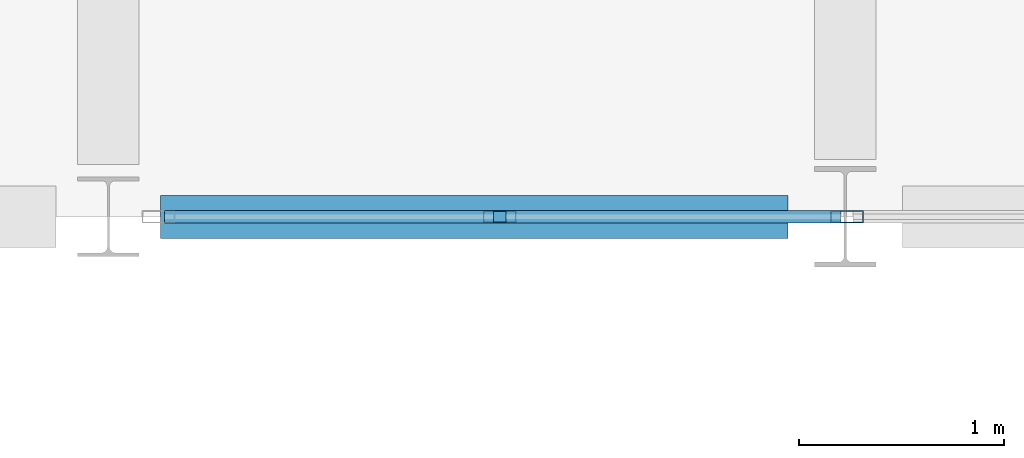
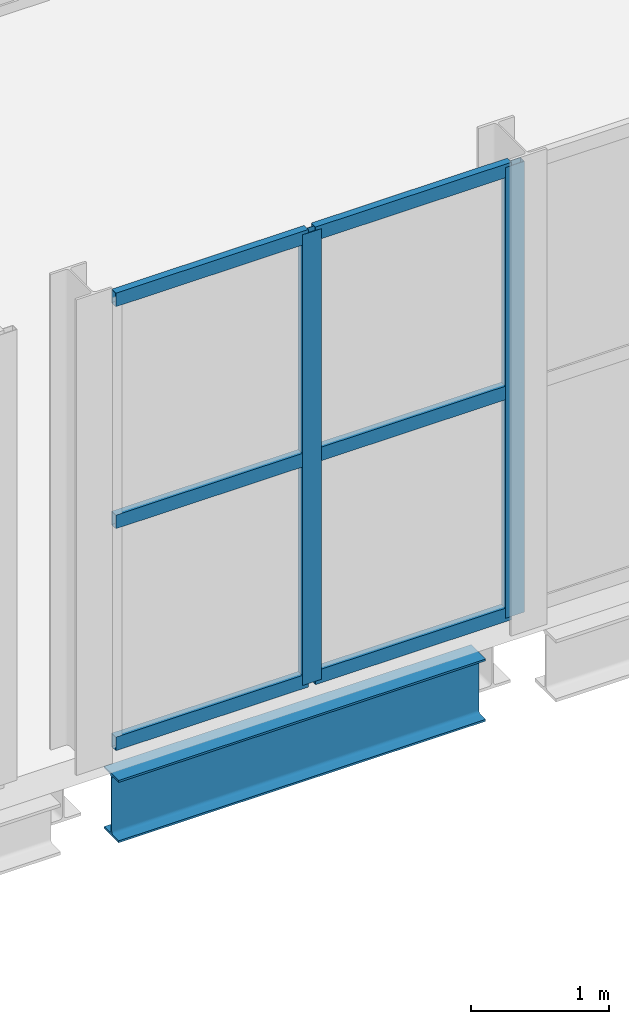
# One storey, part 57 of 121: 8 members, 1 beam, 1 element without a shape of its own.
"""IFC4 building model written with IfcOpenShell, lengths in metres."""

from ifc_helpers import new_model, si_unit, direction, frame, origin, origin_2d, place, context, subcontext, project, spatial, hollow_rectangle, i_section, extrude, material, layer, layer_set, material_profile, profile_set, type_object, element, aggregate, save


model = new_model("IFC4")

# Units and contexts
model_context = context("Model", 3, precision=1e-05, world=origin(), true_north=direction((0.0, 1.0)))
body_context = subcontext(model_context, "Body", "Model", "MODEL_VIEW")
ifc_project = project(units=[si_unit("LENGTHUNIT", "METRE"), si_unit("AREAUNIT", "SQUARE_METRE"), si_unit("VOLUMEUNIT", "CUBIC_METRE"), si_unit("PLANEANGLEUNIT", "RADIAN"), si_unit("MASSUNIT", "GRAM", prefix="KILO")], contexts=[model_context])

# Site, building, storey
site_placement = place(None, origin())
site = spatial("IfcSite", under=ifc_project, at=site_placement, CompositionType="ELEMENT")
building_placement = place(site_placement, origin())
building = spatial("IfcBuilding", under=site, at=building_placement, Name="Vinh Khe Railworks Police Headquarters", CompositionType="ELEMENT")
storey_placement = place(building_placement, frame((0.0, 0.0, 4.800048828125)))
storey = spatial("IfcBuildingStorey", under=building, at=storey_placement, Name="L01", CompositionType="ELEMENT", Elevation=4.800048828125)

# Curtain wall, members
ifc_material_1 = material(Name="Anodised aluminium and solar-control glass", Category="aluminium")
ifc_layer = layer(ifc_material_1, 0.159912109375)
ifc_layer_set = layer_set([ifc_layer], Name="Anodised aluminium and solar-control glass")
curtain_wall_type = type_object("IfcCurtainWallType", Name="CW-SHOPFRONT", PredefinedType="USERDEFINED", material=ifc_layer_set)
curtain_wall_placement = place(storey_placement, origin())
curtain_wall = element("IfcCurtainWall", 1, at=curtain_wall_placement, inside=storey, type_object=curtain_wall_type, Name="Link Bridge South Glazing L01 Bay 5", ObjectType="UNITISED GLAZING", PredefinedType="USERDEFINED")
ifc_material_2 = material(Name="Anodised aluminium 6063-T6", Category="aluminium")
ifc_material_profile_1 = material_profile(ifc_material_2, hollow_rectangle(XDim=0.06005859375, YDim=0.159912109375, WallThickness=0.00390625, at=origin_2d()), Name="CW-M 60x160x4")
ifc_profile_set_1 = profile_set([ifc_material_profile_1], Name="Anodised aluminium 6063-T6")
member_type_1 = type_object("IfcMemberType", Name="MULL-CWM-01", PredefinedType="MULLION", material=ifc_profile_set_1)
member_1_placement = place(storey_placement, frame((61.912109375, 96.0, 0.0), z_axis=(0.0, 0.0, 1.0), x_axis=(0.0, 1.0, 0.0)))
member_1 = element("IfcMember", 2, at=member_1_placement, type_object=member_type_1, Name="CW-03 mullion 2", PredefinedType="MULLION", context=body_context, shape_type="SweptSolid", body=[
    extrude(hollow_rectangle(XDim=0.06005859375, YDim=0.159912109375, WallThickness=0.00390625, at=origin_2d()), origin(), (0.0, 0.0, 1.0), 3.97998046875),
])
member_2_placement = place(storey_placement, frame((63.60888671875, 96.0, 0.0), z_axis=(0.0, 0.0, 1.0), x_axis=(0.0, 1.0, 0.0)))
member_2 = element("IfcMember", 3, at=member_2_placement, type_object=member_type_1, Name="CW-03 mullion 3", PredefinedType="MULLION", context=body_context, shape_type="SweptSolid", body=[
    extrude(hollow_rectangle(XDim=0.06005859375, YDim=0.159912109375, WallThickness=0.00390625, at=origin_2d()), origin(), (0.0, 0.0, 1.0), 3.97998046875),
])

# Beam
ifc_material_3 = material(Name="Steel S355JR", Category="steel")
ifc_material_profile_2 = material_profile(ifc_material_3, i_section(OverallWidth=0.2099609375, OverallDepth=0.550048828125, WebThickness=0.010986328125, FlangeThickness=0.01708984375, FilletRadius=0.02392578125, at=origin_2d()), Name="IPE 550")
ifc_profile_set_2 = profile_set([ifc_material_profile_2], Name="Steel S355JR")
beam_type = type_object("IfcBeamType", Name="Steel Girder IPE 550", PredefinedType="BEAM", material=ifc_profile_set_2)
beam_placement = place(storey_placement, frame((60.2548828125, 96.0, -0.51513671875), z_axis=(1.0, 0.0, 0.0), x_axis=(0.0, 1.0, 0.0)))
element("IfcBeam", 4, at=beam_placement, inside=storey, type_object=beam_type, Name="Girder BM-L01-EW-SB-18-0484", PredefinedType="BEAM", context=body_context, shape_type="SweptSolid", body=[
    extrude(i_section(OverallWidth=0.2099609375, OverallDepth=0.550048828125, WebThickness=0.010986328125, FlangeThickness=0.01708984375, FilletRadius=0.02392578125, at=origin_2d()), origin(), (0.0, 0.0, 1.0), 3.065185546875),
])

# Member
ifc_material_profile_3 = material_profile(ifc_material_2, hollow_rectangle(XDim=0.06005859375, YDim=0.1201171875, WallThickness=0.00390625, at=origin_2d()), Name="CW-T 60x120x4")
ifc_profile_set_3 = profile_set([ifc_material_profile_3], Name="Anodised aluminium 6063-T6")
member_type_2 = type_object("IfcMemberType", Name="TRAN-CWT-01", PredefinedType="USERDEFINED", material=ifc_profile_set_3)
member_3_placement = place(storey_placement, frame((60.27490234375, 96.0, 0.030029296875), z_axis=(1.0, 0.0, 0.0), x_axis=(0.0, 1.0, 0.0)))
member_3 = element("IfcMember", 5, at=member_3_placement, type_object=member_type_2, Name="CW-03 transom 1.1", ObjectType="TRANSOM", PredefinedType="USERDEFINED", context=body_context, shape_type="SweptSolid", body=[
    extrude(hollow_rectangle(XDim=0.06005859375, YDim=0.1201171875, WallThickness=0.00390625, at=origin_2d()), origin(), (0.0, 0.0, 1.0), 1.607177734375),
])

member_4_placement = place(storey_placement, frame((60.27490234375, 96.0, 1.989990234375), z_axis=(1.0, 0.0, 0.0), x_axis=(0.0, 1.0, 0.0)))
member_4 = element("IfcMember", 6, at=member_4_placement, type_object=member_type_2, Name="CW-03 transom 1.2", ObjectType="TRANSOM", PredefinedType="USERDEFINED", context=body_context, shape_type="SweptSolid", body=[
    extrude(hollow_rectangle(XDim=0.06005859375, YDim=0.1201171875, WallThickness=0.00390625, at=origin_2d()), origin(), (0.0, 0.0, 1.0), 1.607177734375),
])

member_5_placement = place(storey_placement, frame((60.27490234375, 96.0, 3.949951171875), z_axis=(1.0, 0.0, 0.0), x_axis=(0.0, 1.0, 0.0)))
member_5 = element("IfcMember", 7, at=member_5_placement, type_object=member_type_2, Name="CW-03 transom 1.3", ObjectType="TRANSOM", PredefinedType="USERDEFINED", context=body_context, shape_type="SweptSolid", body=[
    extrude(hollow_rectangle(XDim=0.06005859375, YDim=0.1201171875, WallThickness=0.00390625, at=origin_2d()), origin(), (0.0, 0.0, 1.0), 1.607177734375),
])

member_6_placement = place(storey_placement, frame((61.94189453125, 96.0, 0.030029296875), z_axis=(1.0, 0.0, 0.0), x_axis=(0.0, 1.0, 0.0)))
member_6 = element("IfcMember", 8, at=member_6_placement, type_object=member_type_2, Name="CW-03 transom 2.1", ObjectType="TRANSOM", PredefinedType="USERDEFINED", context=body_context, shape_type="SweptSolid", body=[
    extrude(hollow_rectangle(XDim=0.06005859375, YDim=0.1201171875, WallThickness=0.00390625, at=origin_2d()), origin(), (0.0, 0.0, 1.0), 1.63720703125),
])

member_7_placement = place(storey_placement, frame((61.94189453125, 96.0, 1.989990234375), z_axis=(1.0, 0.0, 0.0), x_axis=(0.0, 1.0, 0.0)))
member_7 = element("IfcMember", 9, at=member_7_placement, type_object=member_type_2, Name="CW-03 transom 2.2", ObjectType="TRANSOM", PredefinedType="USERDEFINED", context=body_context, shape_type="SweptSolid", body=[
    extrude(hollow_rectangle(XDim=0.06005859375, YDim=0.1201171875, WallThickness=0.00390625, at=origin_2d()), origin(), (0.0, 0.0, 1.0), 1.63720703125),
])

member_8_placement = place(storey_placement, frame((61.94189453125, 96.0, 3.949951171875), z_axis=(1.0, 0.0, 0.0), x_axis=(0.0, 1.0, 0.0)))
member_8 = element("IfcMember", 10, at=member_8_placement, type_object=member_type_2, Name="CW-03 transom 2.3", ObjectType="TRANSOM", PredefinedType="USERDEFINED", context=body_context, shape_type="SweptSolid", body=[
    extrude(hollow_rectangle(XDim=0.06005859375, YDim=0.1201171875, WallThickness=0.00390625, at=origin_2d()), origin(), (0.0, 0.0, 1.0), 1.63720703125),
])

aggregate(curtain_wall, [member_1, member_2, member_3, member_4, member_5, member_6, member_7, member_8])

save(model, "model.ifc")
